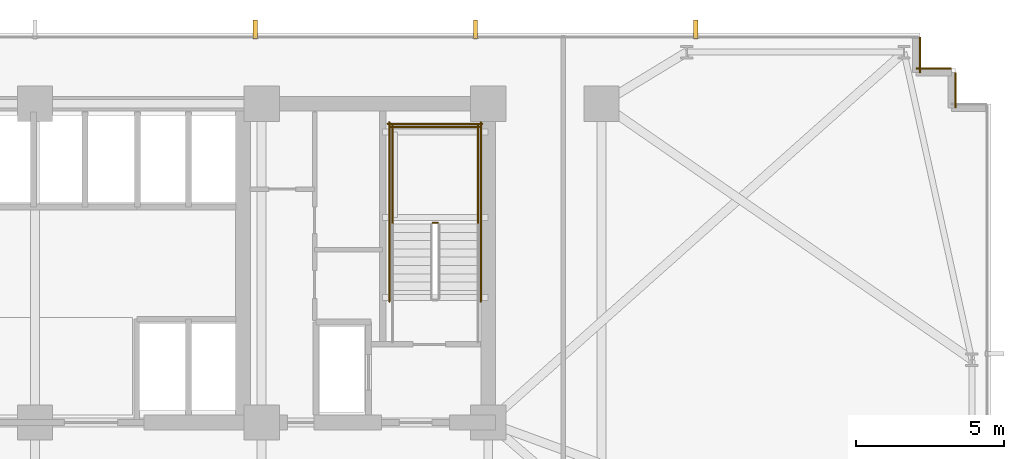
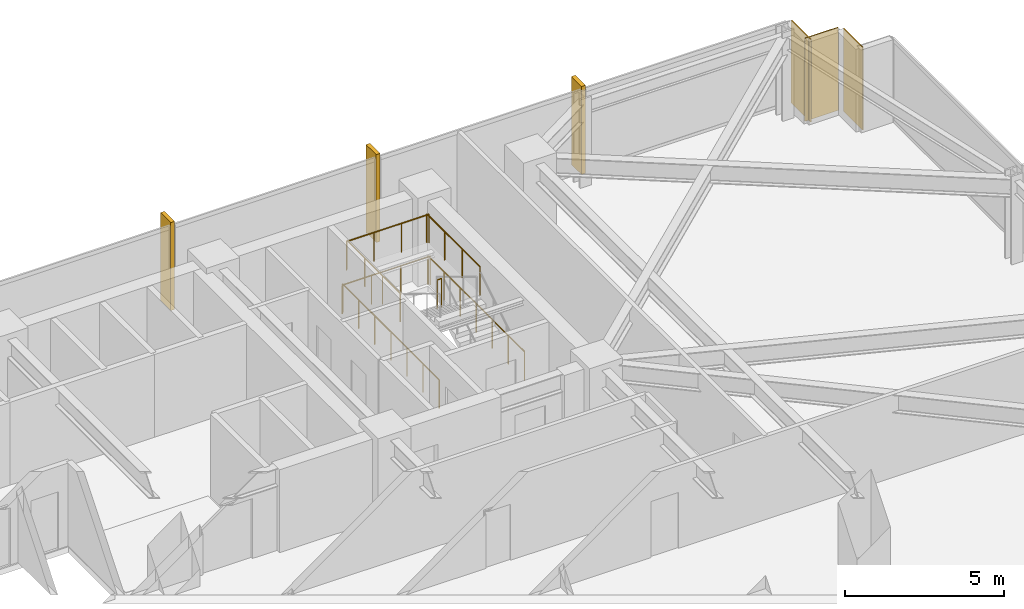
# One storey, part 32 of 33: 7 railings, 3 coverings, 3 shading devices.
"""IFC4 building model written with IfcOpenShell, lengths in metres."""

from ifc_helpers import new_model, si_unit, direction, frame, frame_2d, origin, origin_2d, place, context, subcontext, project, spatial, rectangle, circle, extrude, material, layer, layer_set, type_object, element, save


model = new_model("IFC4")

# Units and contexts
model_context = context("Model", 3, precision=1e-05, world=origin(), true_north=direction((0.0, 1.0)))
body_context = subcontext(model_context, "Body", "Model", "MODEL_VIEW")
ifc_project = project(units=[si_unit("LENGTHUNIT", "METRE"), si_unit("AREAUNIT", "SQUARE_METRE"), si_unit("VOLUMEUNIT", "CUBIC_METRE"), si_unit("PLANEANGLEUNIT", "RADIAN"), si_unit("MASSUNIT", "GRAM", prefix="KILO")], contexts=[model_context])

# Site, building, storey
site_placement = place(None, origin())
site = spatial("IfcSite", under=ifc_project, at=site_placement, CompositionType="ELEMENT")
building_placement = place(site_placement, origin())
building = spatial("IfcBuilding", under=site, at=building_placement, Name="Yelkora Congress Tower", CompositionType="ELEMENT")
storey_placement = place(building_placement, frame((0.0, 0.0, 64.39990234375)))
storey = spatial("IfcBuildingStorey", under=building, at=storey_placement, Name="L16", CompositionType="ELEMENT", Elevation=64.39990234375)

# Coverings
ifc_material_1 = material(Name="Anatolian bush-hammered limestone", Category="masonry")
ifc_layer_1 = layer(ifc_material_1, 0.0400390625)
ifc_layer_set_1 = layer_set([ifc_layer_1], Name="Anatolian bush-hammered limestone")
covering_type = type_object("IfcCoveringType", Name="COV-CLAD-SPANDREL-40", PredefinedType="CLADDING", material=ifc_layer_set_1)
for number, where, z_axis, x_axis, name in (
    (1, (68.39501953125, 48.4599609375, 0.0), (0.0, 0.0, 1.0), (0.0, -1.0, 0.0), "L16 Anatolian Limestone Cladding EW-L16-SR11"),
    (2, (68.260009765625, 47.39501953125, 0.0), (0.0, 0.0, 1.0), (1.0, 0.0, 0.0), "L16 Anatolian Limestone Cladding EW-L16-SR12"),
    (3, (69.594970703125, 47.260009765625, 0.0), (0.0, 0.0, 1.0), (0.0, -1.0, 0.0), "L16 Anatolian Limestone Cladding EW-L16-SR13"),
):
    element("IfcCovering", number, at=place(storey_placement, frame(where, z_axis=z_axis, x_axis=x_axis)), inside=storey, type_object=covering_type, Name=name, PredefinedType="CLADDING", context=body_context, shape_type="SweptSolid", body=[
        extrude(rectangle(XDim=1.199951171875, YDim=0.0400390625, at=frame_2d((0.60009765625, 0.0))), origin(), (0.0, 0.0, 1.0), 3.18017578125),
    ])

# Railings
ifc_material_2 = material(Name="Painted galvanised steel stair well guard with vertical infill", Category="steel")
ifc_layer_2 = layer(ifc_material_2, 0.06005859375)
ifc_layer_set_2 = layer_set([ifc_layer_2], Name="Painted galvanised steel stair well guard with vertical infill")
railing_type = type_object("IfcRailingType", Name="RAIL-STAIR-GUARD-1120", PredefinedType="GUARDRAIL", material=ifc_layer_set_2)
railing_1_placement = place(storey_placement, frame((52.0400390625, 42.169921875, 1.7001953125)))
element("IfcRailing", 4, at=railing_1_placement, inside=storey, type_object=railing_type, Name="ST-02 L16 Stair Well Guardrail 2", PredefinedType="GUARDRAIL", context=body_context, shape_type="SweptSolid", body=[
    extrude(circle(Radius=0.02392578125, at=origin_2d()), frame((0.0, 0.0, 1.09619140625), z_axis=(-1.0, 0.0, 0.0), x_axis=(0.0, -1.0, 0.0)), (0.0, 0.0, 1.0), 0.16015625),
    extrude(circle(Radius=0.02099609375, at=origin_2d()), origin(), (0.0, 0.0, 1.0), 1.072021484375),
    extrude(circle(Radius=0.02099609375, at=origin_2d()), frame((-0.16015625, 0.0, 0.0)), (0.0, 0.0, 1.0), 1.072021484375),
])
for number, where, name in (
    (5, (53.409912109375, 42.1201171875, 1.7001953125), "ST-02 L16 Stair Well Guardrail 3"),
    (6, (50.510009765625, 42.1201171875, 1.7001953125), "ST-02 L16 Stair Well Guardrail 4"),
):
    element("IfcRailing", number, at=place(storey_placement, frame(where)), inside=storey, type_object=railing_type, Name=name, PredefinedType="GUARDRAIL", context=body_context, shape_type="SweptSolid", body=[
        extrude(circle(Radius=0.02392578125, at=origin_2d()), frame((0.0, 0.0, 1.09619140625), z_axis=(0.0, 1.0, 0.0), x_axis=(-1.0, 0.0, 0.0)), (0.0, 0.0, 1.0), 3.349853515625),
        extrude(circle(Radius=0.02099609375, at=origin_2d()), origin(), (0.0, 0.0, 1.0), 1.072021484375),
        extrude(circle(Radius=0.02099609375, at=origin_2d()), frame((0.0, 1.11669921875, 0.0)), (0.0, 0.0, 1.0), 1.072021484375),
        extrude(circle(Radius=0.02099609375, at=origin_2d()), frame((0.0, 2.233154296875, 0.0)), (0.0, 0.0, 1.0), 1.072021484375),
        extrude(circle(Radius=0.02099609375, at=origin_2d()), frame((0.0, 3.349853515625, 0.0)), (0.0, 0.0, 1.0), 1.072021484375),
    ])
railing_2_placement = place(storey_placement, frame((53.4599609375, 45.419921875, 1.7001953125)))
element("IfcRailing", 7, at=railing_2_placement, inside=storey, type_object=railing_type, Name="ST-02 L16 Stair Well Guardrail 5", PredefinedType="GUARDRAIL", context=body_context, shape_type="SweptSolid", body=[
    extrude(circle(Radius=0.02392578125, at=origin_2d()), frame((0.0, 0.0, 1.09619140625), z_axis=(-1.0, 0.0, 0.0), x_axis=(0.0, -1.0, 0.0)), (0.0, 0.0, 1.0), 3.0),
    extrude(circle(Radius=0.02099609375, at=origin_2d()), origin(), (0.0, 0.0, 1.0), 1.072021484375),
    extrude(circle(Radius=0.02099609375, at=origin_2d()), frame((-1.0, 0.0, 0.0)), (0.0, 0.0, 1.0), 1.072021484375),
    extrude(circle(Radius=0.02099609375, at=origin_2d()), frame((-2.0, 0.0, 0.0)), (0.0, 0.0, 1.0), 1.072021484375),
    extrude(circle(Radius=0.02099609375, at=origin_2d()), frame((-3.0, 0.0, 0.0)), (0.0, 0.0, 1.0), 1.072021484375),
])
for number, where, name in (
    (8, (53.510009765625, 39.5, 0.0), "ST-02 L16 Stair Well Guardrail 10"),
    (9, (50.409912109375, 39.5, 0.0), "ST-02 L16 Stair Well Guardrail 11"),
):
    element("IfcRailing", number, at=place(storey_placement, frame(where)), inside=storey, type_object=railing_type, Name=name, PredefinedType="GUARDRAIL", context=body_context, shape_type="SweptSolid", body=[
        extrude(circle(Radius=0.02392578125, at=origin_2d()), frame((0.0, 0.0, 1.09619140625), z_axis=(0.0, 1.0, 0.0), x_axis=(-1.0, 0.0, 0.0)), (0.0, 0.0, 1.0), 6.070068359375),
        extrude(circle(Radius=0.02099609375, at=origin_2d()), origin(), (0.0, 0.0, 1.0), 1.072021484375),
        extrude(circle(Radius=0.02099609375, at=origin_2d()), frame((0.0, 1.01171875, 0.0)), (0.0, 0.0, 1.0), 1.072021484375),
        extrude(circle(Radius=0.02099609375, at=origin_2d()), frame((0.0, 2.0234375, 0.0)), (0.0, 0.0, 1.0), 1.072021484375),
        extrude(circle(Radius=0.02099609375, at=origin_2d()), frame((0.0, 3.03515625, 0.0)), (0.0, 0.0, 1.0), 1.072021484375),
        extrude(circle(Radius=0.02099609375, at=origin_2d()), frame((0.0, 4.046630859375, 0.0)), (0.0, 0.0, 1.0), 1.072021484375),
        extrude(circle(Radius=0.02099609375, at=origin_2d()), frame((0.0, 5.058349609375, 0.0)), (0.0, 0.0, 1.0), 1.072021484375),
        extrude(circle(Radius=0.02099609375, at=origin_2d()), frame((0.0, 6.070068359375, 0.0)), (0.0, 0.0, 1.0), 1.072021484375),
    ])
railing_3_placement = place(storey_placement, frame((53.56005859375, 45.52001953125, 0.0)))
element("IfcRailing", 10, at=railing_3_placement, inside=storey, type_object=railing_type, Name="ST-02 L16 Stair Well Guardrail 12", PredefinedType="GUARDRAIL", context=body_context, shape_type="SweptSolid", body=[
    extrude(circle(Radius=0.02392578125, at=origin_2d()), frame((0.0, 0.0, 1.09619140625), z_axis=(-1.0, 0.0, 0.0), x_axis=(0.0, -1.0, 0.0)), (0.0, 0.0, 1.0), 3.199951171875),
    extrude(circle(Radius=0.02099609375, at=origin_2d()), origin(), (0.0, 0.0, 1.0), 1.072021484375),
    extrude(circle(Radius=0.02099609375, at=origin_2d()), frame((-1.066650390625, 0.0, 0.0)), (0.0, 0.0, 1.0), 1.072021484375),
    extrude(circle(Radius=0.02099609375, at=origin_2d()), frame((-2.13330078125, 0.0, 0.0)), (0.0, 0.0, 1.0), 1.072021484375),
    extrude(circle(Radius=0.02099609375, at=origin_2d()), frame((-3.199951171875, 0.0, 0.0)), (0.0, 0.0, 1.0), 1.072021484375),
])

# Shading devices
ifc_material_3 = material(Name="Champagne anodised aluminium", Category="aluminium")
ifc_layer_3 = layer(ifc_material_3, 3.39990234375)
ifc_layer_set_3 = layer_set([ifc_layer_3], Name="Champagne anodised aluminium")
shading_device_type = type_object("IfcShadingDeviceType", Name="SHD-FIN-ALU-640", PredefinedType="USERDEFINED", material=ifc_layer_set_3)
for number, where, z_axis, x_axis, name in (
    (11, (45.864990234375, 48.719970703125, -0.02978515625), (0.0, 0.0, 1.0), (1.0, 0.0, 0.0), "L16 Vertical Anodised Solar Fin 10-5"),
    (12, (53.330078125, 48.719970703125, -0.02978515625), (0.0, 0.0, 1.0), (1.0, 0.0, 0.0), "L16 Vertical Anodised Solar Fin 10-6"),
    (13, (60.794921875, 48.719970703125, -0.02978515625), (0.0, 0.0, 1.0), (1.0, 0.0, 0.0), "L16 Vertical Anodised Solar Fin 10-7"),
):
    element("IfcShadingDevice", number, at=place(storey_placement, frame(where, z_axis=z_axis, x_axis=x_axis)), inside=storey, type_object=shading_device_type, Name=name, ObjectType="FIN", PredefinedType="USERDEFINED", context=body_context, shape_type="SweptSolid", body=[
        extrude(rectangle(XDim=0.139892578125, YDim=0.639892578125, at=origin_2d()), origin(), (0.0, 0.0, 1.0), 3.3798828125),
    ])

save(model, "model.ifc")
